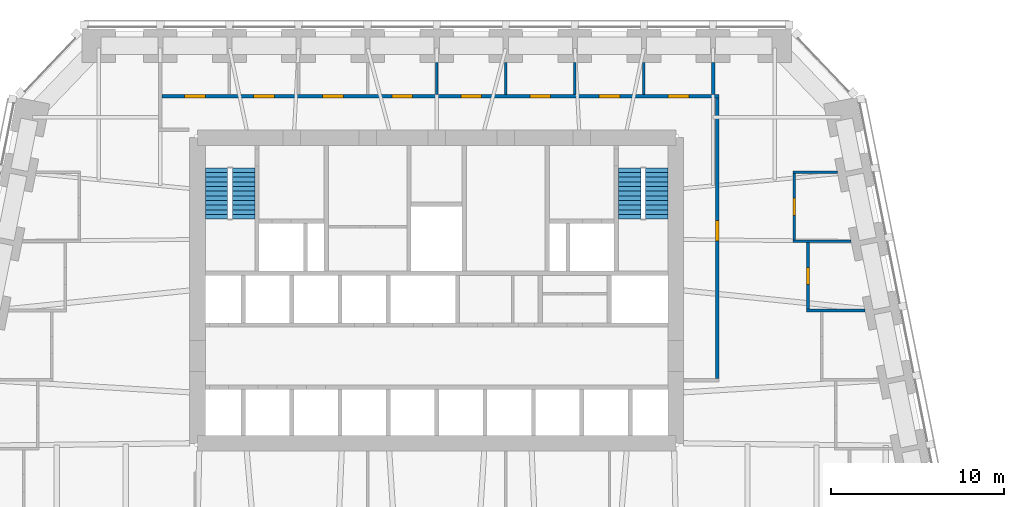
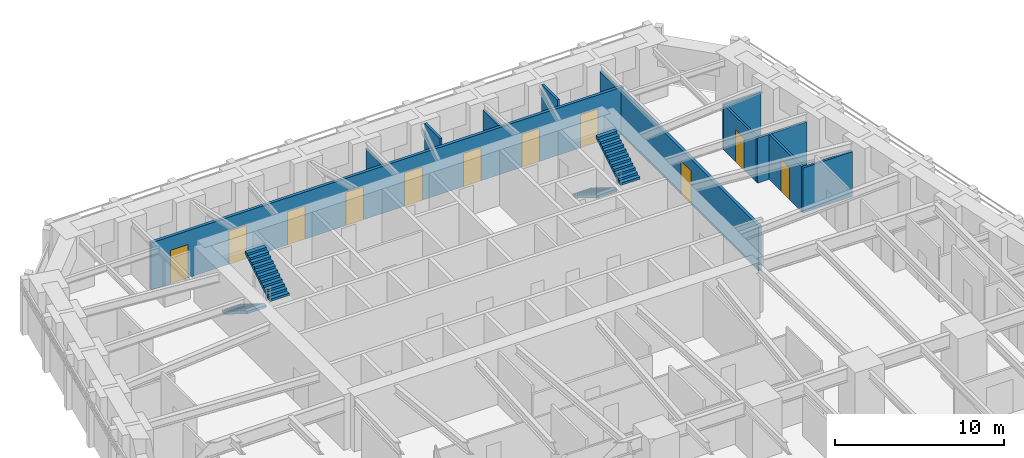
# One storey, part 8 of 10: 12 walls, 11 doors, 4 stair flights, 11 openings, 2 elements without a shape of their own.
"""IFC4 building model written with IfcOpenShell, lengths in metres."""

from ifc_helpers import new_model, si_unit, direction, frame, frame_2d, origin, place, context, subcontext, project, spatial, polyline, rectangle, outline, extrude, material, layer, layer_set, type_object, element, fill, aggregate, save


model = new_model("IFC4")

# Units and contexts
model_context = context("Model", 3, precision=1e-05, world=origin(), true_north=direction((0.0, 1.0)))
body_context = subcontext(model_context, "Body", "Model", "MODEL_VIEW")
ifc_project = project(units=[si_unit("LENGTHUNIT", "METRE"), si_unit("AREAUNIT", "SQUARE_METRE"), si_unit("VOLUMEUNIT", "CUBIC_METRE"), si_unit("PLANEANGLEUNIT", "RADIAN"), si_unit("MASSUNIT", "GRAM", prefix="KILO")], contexts=[model_context])

# Site, building, storey
site_placement = place(None, origin())
site = spatial("IfcSite", under=ifc_project, at=site_placement, CompositionType="ELEMENT")
building_placement = place(site_placement, origin())
building = spatial("IfcBuilding", under=site, at=building_placement, Name="Isbrekke Arena Tower", CompositionType="ELEMENT")
storey_placement = place(building_placement, frame((0.0, 0.0, 84.0)))
storey = spatial("IfcBuildingStorey", under=building, at=storey_placement, Name="L18", CompositionType="ELEMENT", Elevation=84.0)

# Walls
ifc_material_1 = material(Name="Gypsum board partition on steel studs", Category="steel")
ifc_layer_1 = layer(ifc_material_1, 0.14990234375)
ifc_layer_set_1 = layer_set([ifc_layer_1], Name="IW1 PARTITION 150")
wall_type_1 = type_object("IfcWallType", Name="IW1 PARTITION 150", PredefinedType="PARTITIONING", material=ifc_layer_set_1)
for number, where, z_axis, x_axis, name in (
    (1, (21.425048828125, 13.840087890625, 0.0), (0.0, 0.0, 1.0), (1.0, 0.0, 0.0), "IW1 partition 150 L18"),
    (2, (20.625, 17.840087890625, 0.0), (0.0, 0.0, 1.0), (1.0, 0.0, 0.0), "IW1 partition 150 L18"),
):
    element("IfcWall", number, at=place(storey_placement, frame(where, z_axis=z_axis, x_axis=x_axis)), inside=storey, type_object=wall_type_1, Name=name, PredefinedType="PARTITIONING", context=body_context, shape_type="SweptSolid", body=[
        extrude(rectangle(XDim=3.371337890625, YDim=0.14990234375, at=frame_2d((1.685546875, 0.0))), origin(), (0.0, 0.0, 1.0), 3.25),
    ])
wall_1_placement = place(storey_placement, frame((20.625, 21.840087890625, 0.0), z_axis=(0.0, 0.0, 1.0), x_axis=(1.0, 0.0, 0.0)))
element("IfcWall", 3, at=wall_1_placement, inside=storey, type_object=wall_type_1, Name="IW1 partition 150 L18", PredefinedType="PARTITIONING", context=body_context, shape_type="SweptSolid", body=[
    extrude(rectangle(XDim=2.5712890625, YDim=0.14990234375, at=frame_2d((1.28564453125, 0.0))), origin(), (0.0, 0.0, 1.0), 3.25),
])
wall_2_placement = place(storey_placement, frame((0.0, 26.35009765625, 0.0), z_axis=(0.0, 0.0, 1.0), x_axis=(0.0, 1.0, 0.0)))
element("IfcWall", 4, at=wall_2_placement, inside=storey, type_object=wall_type_1, Name="IW1 partition 150 L18", PredefinedType="PARTITIONING", context=body_context, shape_type="SweptSolid", body=[
    extrude(rectangle(XDim=1.849853515625, YDim=0.14990234375, at=frame_2d((0.9248046875, 0.0))), origin(), (0.0, 0.0, 1.0), 3.39990234375),
])
wall_3_placement = place(storey_placement, frame((4.0, 26.35009765625, 0.0), z_axis=(0.0, 0.0, 1.0), x_axis=(0.0, 1.0, 0.0)))
element("IfcWall", 5, at=wall_3_placement, inside=storey, type_object=wall_type_1, Name="IW1 partition 150 L18", PredefinedType="PARTITIONING", context=body_context, shape_type="SweptSolid", body=[
    extrude(rectangle(XDim=1.849853515625, YDim=0.14990234375, at=frame_2d((0.9248046875, 0.0))), origin(), (0.0, 0.0, 1.0), 3.85009765625),
])
wall_4_placement = place(storey_placement, frame((8.0, 26.35009765625, 0.0), z_axis=(0.0, 0.0, 1.0), x_axis=(0.0, 1.0, 0.0)))
element("IfcWall", 6, at=wall_4_placement, inside=storey, type_object=wall_type_1, Name="IW1 partition 150 L18", PredefinedType="PARTITIONING", context=body_context, shape_type="SweptSolid", body=[
    extrude(rectangle(XDim=1.849853515625, YDim=0.14990234375, at=frame_2d((0.9248046875, 0.0))), origin(), (0.0, 0.0, 1.0), 3.39990234375),
])
wall_5_placement = place(storey_placement, frame((12.0, 26.35009765625, 0.0), z_axis=(0.0, 0.0, 1.0), x_axis=(0.0, 1.0, 0.0)))
element("IfcWall", 7, at=wall_5_placement, inside=storey, type_object=wall_type_1, Name="IW1 partition 150 L18", PredefinedType="PARTITIONING", context=body_context, shape_type="SweptSolid", body=[
    extrude(rectangle(XDim=1.849853515625, YDim=0.14990234375, at=frame_2d((0.9248046875, 0.0))), origin(), (0.0, 0.0, 1.0), 3.85009765625),
])

# Wall, opening, door
wall_6_placement = place(storey_placement, frame((20.699951171875, 17.9150390625, 0.0), z_axis=(0.0, 0.0, 1.0), x_axis=(0.0, 1.0, 0.0)))
wall_6 = element("IfcWall", 8, at=wall_6_placement, inside=storey, type_object=wall_type_1, Name="IW1 partition 150 L18", PredefinedType="PARTITIONING", context=body_context, shape_type="SweptSolid", body=[
    extrude(rectangle(XDim=3.849853515625, YDim=0.14990234375, at=frame_2d((1.9248046875, 0.0))), origin(), (0.0, 0.0, 1.0), 3.25),
])
opening_1_placement = place(wall_6_placement, frame((1.425048828125, 0.0, 0.0)))
opening_1 = element("IfcOpeningElement", 9, at=opening_1_placement, cuts=wall_6, Name="Opening D10", PredefinedType="OPENING", context=body_context, shape_type="SweptSolid", body=[
    extrude(rectangle(XDim=1.0, YDim=2.300048828125, at=frame_2d((0.5, 1.14990234375))), frame((0.0, 0.08984375, 0.0), z_axis=(0.0, -1.0, 0.0), x_axis=(1.0, 0.0, 0.0)), (0.0, 0.0, 1.0), 0.1796875),
])
ifc_material_2 = material(Name="Timber door", Category="wood")
door_type_1 = type_object("IfcDoorType", Name="D10 OFFICE DOOR 1000 x 2300", OperationType="SINGLE_SWING_LEFT", PredefinedType="DOOR", material=ifc_material_2)
door_1_placement = place(opening_1_placement, origin())
door_1 = element("IfcDoor", 10, at=door_1_placement, inside=storey, type_object=door_type_1, Name="D10 office door L18", OperationType="SINGLE_SWING_LEFT", OverallHeight=2.300048828125, OverallWidth=1.0, PredefinedType="DOOR", context=body_context, shape_type="SweptSolid", body=[
    extrude(rectangle(XDim=1.0, YDim=2.300048828125, at=frame_2d((0.5, 1.14990234375))), frame((0.0, 0.07470703125, 0.0), z_axis=(0.0, -1.0, 0.0), x_axis=(1.0, 0.0, 0.0)), (0.0, 0.0, 1.0), 0.1494140625),
])
fill(opening_1, door_1)

wall_7_placement = place(storey_placement, frame((21.5, 13.9150390625, 0.0), z_axis=(0.0, 0.0, 1.0), x_axis=(0.0, 1.0, 0.0)))
wall_7 = element("IfcWall", 11, at=wall_7_placement, inside=storey, type_object=wall_type_1, Name="IW1 partition 150 L18", PredefinedType="PARTITIONING", context=body_context, shape_type="SweptSolid", body=[
    extrude(rectangle(XDim=3.849853515625, YDim=0.14990234375, at=frame_2d((1.9248046875, 0.0))), origin(), (0.0, 0.0, 1.0), 3.25),
])
opening_2_placement = place(wall_7_placement, frame((1.425048828125, 0.0, 0.0)))
opening_2 = element("IfcOpeningElement", 12, at=opening_2_placement, cuts=wall_7, Name="Opening D10", PredefinedType="OPENING", context=body_context, shape_type="SweptSolid", body=[
    extrude(rectangle(XDim=1.0, YDim=2.300048828125, at=frame_2d((0.5, 1.14990234375))), frame((0.0, 0.08984375, 0.0), z_axis=(0.0, -1.0, 0.0), x_axis=(1.0, 0.0, 0.0)), (0.0, 0.0, 1.0), 0.1796875),
])
door_2_placement = place(opening_2_placement, origin())
door_2 = element("IfcDoor", 13, at=door_2_placement, inside=storey, type_object=door_type_1, Name="D10 office door L18", OperationType="SINGLE_SWING_LEFT", OverallHeight=2.300048828125, OverallWidth=1.0, PredefinedType="DOOR", context=body_context, shape_type="SweptSolid", body=[
    extrude(rectangle(XDim=1.0, YDim=2.300048828125, at=frame_2d((0.5, 1.14990234375))), frame((0.0, 0.07470703125, 0.0), z_axis=(0.0, -1.0, 0.0), x_axis=(1.0, 0.0, 0.0)), (0.0, 0.0, 1.0), 0.1494140625),
])
fill(opening_2, door_2)

# Wall, openings, doors
ifc_material_3 = material(Name="Gypsum board fire-cell wall on steel studs, two layers each side", Category="steel")
ifc_layer_2 = layer(ifc_material_3, 0.199951171875)
ifc_layer_set_2 = layer_set([ifc_layer_2], Name="IW3 FIRE-CELL WALL 200")
wall_type_2 = type_object("IfcWallType", Name="IW3 FIRE-CELL WALL 200", PredefinedType="PARTITIONING", material=ifc_layer_set_2)
wall_8_placement = place(storey_placement, frame((-15.89990234375, 26.25, 0.0), z_axis=(0.0, 0.0, 1.0), x_axis=(1.0, 0.0, 0.0)))
wall_8 = element("IfcWall", 14, at=wall_8_placement, inside=storey, type_object=wall_type_2, Name="IW3 fire-cell wall 200 L18", PredefinedType="PARTITIONING", context=body_context, shape_type="SweptSolid", body=[
    extrude(rectangle(XDim=32.25, YDim=0.199951171875, at=frame_2d((16.125, 0.0))), origin(), (0.0, 0.0, 1.0), 3.39990234375),
])
opening_3_placement = place(wall_8_placement, frame((1.300048828125, 0.0, 0.0)))
opening_3 = element("IfcOpeningElement", 15, at=opening_3_placement, cuts=wall_8, Name="Opening D12", PredefinedType="OPENING", context=body_context, shape_type="SweptSolid", body=[
    extrude(rectangle(XDim=1.199951171875, YDim=2.39990234375, at=frame_2d((0.60009765625, 1.199951171875))), frame((0.0, 0.11474609375, 0.0), z_axis=(0.0, -1.0, 0.0), x_axis=(1.0, 0.0, 0.0)), (0.0, 0.0, 1.0), 0.229736328125),
])
opening_4_placement = place(wall_8_placement, frame((5.300048828125, 0.0, 0.0)))
opening_4 = element("IfcOpeningElement", 16, at=opening_4_placement, cuts=wall_8, Name="Opening D12", PredefinedType="OPENING", context=body_context, shape_type="SweptSolid", body=[
    extrude(rectangle(XDim=1.199951171875, YDim=2.39990234375, at=frame_2d((0.60009765625, 1.199951171875))), frame((0.0, 0.11474609375, 0.0), z_axis=(0.0, -1.0, 0.0), x_axis=(1.0, 0.0, 0.0)), (0.0, 0.0, 1.0), 0.229736328125),
])
opening_5_placement = place(wall_8_placement, frame((9.300048828125, 0.0, 0.0)))
opening_5 = element("IfcOpeningElement", 17, at=opening_5_placement, cuts=wall_8, Name="Opening D12", PredefinedType="OPENING", context=body_context, shape_type="SweptSolid", body=[
    extrude(rectangle(XDim=1.199951171875, YDim=2.39990234375, at=frame_2d((0.60009765625, 1.199951171875))), frame((0.0, 0.11474609375, 0.0), z_axis=(0.0, -1.0, 0.0), x_axis=(1.0, 0.0, 0.0)), (0.0, 0.0, 1.0), 0.229736328125),
])
opening_6_placement = place(wall_8_placement, frame((13.300048828125, 0.0, 0.0)))
opening_6 = element("IfcOpeningElement", 18, at=opening_6_placement, cuts=wall_8, Name="Opening D12", PredefinedType="OPENING", context=body_context, shape_type="SweptSolid", body=[
    extrude(rectangle(XDim=1.199951171875, YDim=2.39990234375, at=frame_2d((0.60009765625, 1.199951171875))), frame((0.0, 0.11474609375, 0.0), z_axis=(0.0, -1.0, 0.0), x_axis=(1.0, 0.0, 0.0)), (0.0, 0.0, 1.0), 0.229736328125),
])
opening_7_placement = place(wall_8_placement, frame((17.300048828125, 0.0, 0.0)))
opening_7 = element("IfcOpeningElement", 19, at=opening_7_placement, cuts=wall_8, Name="Opening D12", PredefinedType="OPENING", context=body_context, shape_type="SweptSolid", body=[
    extrude(rectangle(XDim=1.199951171875, YDim=2.39990234375, at=frame_2d((0.60009765625, 1.199951171875))), frame((0.0, 0.11474609375, 0.0), z_axis=(0.0, -1.0, 0.0), x_axis=(1.0, 0.0, 0.0)), (0.0, 0.0, 1.0), 0.229736328125),
])
opening_8_placement = place(wall_8_placement, frame((21.300048828125, 0.0, 0.0)))
opening_8 = element("IfcOpeningElement", 20, at=opening_8_placement, cuts=wall_8, Name="Opening D12", PredefinedType="OPENING", context=body_context, shape_type="SweptSolid", body=[
    extrude(rectangle(XDim=1.199951171875, YDim=2.39990234375, at=frame_2d((0.60009765625, 1.199951171875))), frame((0.0, 0.11474609375, 0.0), z_axis=(0.0, -1.0, 0.0), x_axis=(1.0, 0.0, 0.0)), (0.0, 0.0, 1.0), 0.229736328125),
])
opening_9_placement = place(wall_8_placement, frame((25.300048828125, 0.0, 0.0)))
opening_9 = element("IfcOpeningElement", 21, at=opening_9_placement, cuts=wall_8, Name="Opening D12", PredefinedType="OPENING", context=body_context, shape_type="SweptSolid", body=[
    extrude(rectangle(XDim=1.199951171875, YDim=2.39990234375, at=frame_2d((0.60009765625, 1.199951171875))), frame((0.0, 0.11474609375, 0.0), z_axis=(0.0, -1.0, 0.0), x_axis=(1.0, 0.0, 0.0)), (0.0, 0.0, 1.0), 0.229736328125),
])
opening_10_placement = place(wall_8_placement, frame((29.300048828125, 0.0, 0.0)))
opening_10 = element("IfcOpeningElement", 22, at=opening_10_placement, cuts=wall_8, Name="Opening D12", PredefinedType="OPENING", context=body_context, shape_type="SweptSolid", body=[
    extrude(rectangle(XDim=1.199951171875, YDim=2.39990234375, at=frame_2d((0.60009765625, 1.199951171875))), frame((0.0, 0.11474609375, 0.0), z_axis=(0.0, -1.0, 0.0), x_axis=(1.0, 0.0, 0.0)), (0.0, 0.0, 1.0), 0.229736328125),
])
ifc_material_4 = material(Name="Timber fire door with vision panel", Category="wood")
door_type_2 = type_object("IfcDoorType", Name="D12 SUITE ENTRANCE DOOR 1200 x 2400", OperationType="SINGLE_SWING_LEFT", PredefinedType="DOOR", material=ifc_material_4)
door_3_placement = place(opening_3_placement, origin())
door_3 = element("IfcDoor", 23, at=door_3_placement, inside=storey, type_object=door_type_2, Name="D12 office door L18", OperationType="SINGLE_SWING_LEFT", OverallHeight=2.39990234375, OverallWidth=1.199951171875, PredefinedType="DOOR", context=body_context, shape_type="SweptSolid", body=[
    extrude(rectangle(XDim=1.199951171875, YDim=2.39990234375, at=frame_2d((0.60009765625, 1.199951171875))), frame((0.0, 0.099609375, 0.0), z_axis=(0.0, -1.0, 0.0), x_axis=(1.0, 0.0, 0.0)), (0.0, 0.0, 1.0), 0.199462890625),
])
fill(opening_3, door_3)
door_4_placement = place(opening_4_placement, origin())
door_4 = element("IfcDoor", 24, at=door_4_placement, inside=storey, type_object=door_type_2, Name="D12 office door L18", OperationType="SINGLE_SWING_LEFT", OverallHeight=2.39990234375, OverallWidth=1.199951171875, PredefinedType="DOOR", context=body_context, shape_type="SweptSolid", body=[
    extrude(rectangle(XDim=1.199951171875, YDim=2.39990234375, at=frame_2d((0.60009765625, 1.199951171875))), frame((0.0, 0.099609375, 0.0), z_axis=(0.0, -1.0, 0.0), x_axis=(1.0, 0.0, 0.0)), (0.0, 0.0, 1.0), 0.199462890625),
])
fill(opening_4, door_4)
door_5_placement = place(opening_5_placement, origin())
door_5 = element("IfcDoor", 25, at=door_5_placement, inside=storey, type_object=door_type_2, Name="D12 office door L18", OperationType="SINGLE_SWING_LEFT", OverallHeight=2.39990234375, OverallWidth=1.199951171875, PredefinedType="DOOR", context=body_context, shape_type="SweptSolid", body=[
    extrude(rectangle(XDim=1.199951171875, YDim=2.39990234375, at=frame_2d((0.60009765625, 1.199951171875))), frame((0.0, 0.099609375, 0.0), z_axis=(0.0, -1.0, 0.0), x_axis=(1.0, 0.0, 0.0)), (0.0, 0.0, 1.0), 0.199462890625),
])
fill(opening_5, door_5)
door_6_placement = place(opening_6_placement, origin())
door_6 = element("IfcDoor", 26, at=door_6_placement, inside=storey, type_object=door_type_2, Name="D12 office door L18", OperationType="SINGLE_SWING_LEFT", OverallHeight=2.39990234375, OverallWidth=1.199951171875, PredefinedType="DOOR", context=body_context, shape_type="SweptSolid", body=[
    extrude(rectangle(XDim=1.199951171875, YDim=2.39990234375, at=frame_2d((0.60009765625, 1.199951171875))), frame((0.0, 0.099609375, 0.0), z_axis=(0.0, -1.0, 0.0), x_axis=(1.0, 0.0, 0.0)), (0.0, 0.0, 1.0), 0.199462890625),
])
fill(opening_6, door_6)
door_7_placement = place(opening_7_placement, origin())
door_7 = element("IfcDoor", 27, at=door_7_placement, inside=storey, type_object=door_type_2, Name="D12 office door L18", OperationType="SINGLE_SWING_LEFT", OverallHeight=2.39990234375, OverallWidth=1.199951171875, PredefinedType="DOOR", context=body_context, shape_type="SweptSolid", body=[
    extrude(rectangle(XDim=1.199951171875, YDim=2.39990234375, at=frame_2d((0.60009765625, 1.199951171875))), frame((0.0, 0.099609375, 0.0), z_axis=(0.0, -1.0, 0.0), x_axis=(1.0, 0.0, 0.0)), (0.0, 0.0, 1.0), 0.199462890625),
])
fill(opening_7, door_7)
door_8_placement = place(opening_8_placement, origin())
door_8 = element("IfcDoor", 28, at=door_8_placement, inside=storey, type_object=door_type_2, Name="D12 office door L18", OperationType="SINGLE_SWING_LEFT", OverallHeight=2.39990234375, OverallWidth=1.199951171875, PredefinedType="DOOR", context=body_context, shape_type="SweptSolid", body=[
    extrude(rectangle(XDim=1.199951171875, YDim=2.39990234375, at=frame_2d((0.60009765625, 1.199951171875))), frame((0.0, 0.099609375, 0.0), z_axis=(0.0, -1.0, 0.0), x_axis=(1.0, 0.0, 0.0)), (0.0, 0.0, 1.0), 0.199462890625),
])
fill(opening_8, door_8)
door_9_placement = place(opening_9_placement, origin())
door_9 = element("IfcDoor", 29, at=door_9_placement, inside=storey, type_object=door_type_2, Name="D12 office door L18", OperationType="SINGLE_SWING_LEFT", OverallHeight=2.39990234375, OverallWidth=1.199951171875, PredefinedType="DOOR", context=body_context, shape_type="SweptSolid", body=[
    extrude(rectangle(XDim=1.199951171875, YDim=2.39990234375, at=frame_2d((0.60009765625, 1.199951171875))), frame((0.0, 0.099609375, 0.0), z_axis=(0.0, -1.0, 0.0), x_axis=(1.0, 0.0, 0.0)), (0.0, 0.0, 1.0), 0.199462890625),
])
fill(opening_9, door_9)
door_10_placement = place(opening_10_placement, origin())
door_10 = element("IfcDoor", 30, at=door_10_placement, inside=storey, type_object=door_type_2, Name="D12 office door L18", OperationType="SINGLE_SWING_LEFT", OverallHeight=2.39990234375, OverallWidth=1.199951171875, PredefinedType="DOOR", context=body_context, shape_type="SweptSolid", body=[
    extrude(rectangle(XDim=1.199951171875, YDim=2.39990234375, at=frame_2d((0.60009765625, 1.199951171875))), frame((0.0, 0.099609375, 0.0), z_axis=(0.0, -1.0, 0.0), x_axis=(1.0, 0.0, 0.0)), (0.0, 0.0, 1.0), 0.199462890625),
])
fill(opening_10, door_10)

# Wall
wall_9_placement = place(storey_placement, frame((16.0, 26.35009765625, 0.0), z_axis=(0.0, 0.0, 1.0), x_axis=(0.0, 1.0, 0.0)))
element("IfcWall", 31, at=wall_9_placement, inside=storey, type_object=wall_type_2, Name="IW3 fire-cell wall 200 L18", PredefinedType="PARTITIONING", context=body_context, shape_type="SweptSolid", body=[
    extrude(rectangle(XDim=1.849853515625, YDim=0.199951171875, at=frame_2d((0.9248046875, 0.0))), origin(), (0.0, 0.0, 1.0), 3.39990234375),
])

# Wall, opening, door
wall_10_placement = place(storey_placement, frame((16.25, 9.89990234375, 0.0), z_axis=(0.0, 0.0, 1.0), x_axis=(0.0, 1.0, 0.0)))
wall_10 = element("IfcWall", 32, at=wall_10_placement, inside=storey, type_object=wall_type_2, Name="IW3 fire-cell wall 200 L18", PredefinedType="PARTITIONING", context=body_context, shape_type="SweptSolid", body=[
    extrude(rectangle(XDim=16.25, YDim=0.199951171875, at=frame_2d((8.125, 0.0))), origin(), (0.0, 0.0, 1.0), 3.25),
])
opening_11_placement = place(wall_10_placement, frame((7.949951171875, 0.0, 0.0)))
opening_11 = element("IfcOpeningElement", 33, at=opening_11_placement, cuts=wall_10, Name="Opening D12", PredefinedType="OPENING", context=body_context, shape_type="SweptSolid", body=[
    extrude(rectangle(XDim=1.199951171875, YDim=2.39990234375, at=frame_2d((0.60009765625, 1.199951171875))), frame((0.0, 0.11474609375, 0.0), z_axis=(0.0, -1.0, 0.0), x_axis=(1.0, 0.0, 0.0)), (0.0, 0.0, 1.0), 0.229736328125),
])
door_11_placement = place(opening_11_placement, origin())
door_11 = element("IfcDoor", 34, at=door_11_placement, inside=storey, type_object=door_type_2, Name="D12 suite entrance A door L18", OperationType="SINGLE_SWING_LEFT", OverallHeight=2.39990234375, OverallWidth=1.199951171875, PredefinedType="DOOR", context=body_context, shape_type="SweptSolid", body=[
    extrude(rectangle(XDim=1.199951171875, YDim=2.39990234375, at=frame_2d((0.60009765625, 1.199951171875))), frame((0.0, 0.099609375, 0.0), z_axis=(0.0, -1.0, 0.0), x_axis=(1.0, 0.0, 0.0)), (0.0, 0.0, 1.0), 0.199462890625),
])
fill(opening_11, door_11)

# Stair, stair flights
ifc_material_5 = material(Name="Concrete B45 (C45/55) precast", Category="concrete")
stair_type = type_object("IfcStairType", Name="ST40 STAIR 1300 WIDE, 24 RISERS 167", PredefinedType="HALF_TURN_STAIR", material=ifc_material_5)
stair_1_placement = place(storey_placement, origin())
stair_1 = element("IfcStair", 35, at=stair_1_placement, inside=storey, type_object=stair_type, Name="ST1 stair L18", PredefinedType="HALF_TURN_STAIR")
ifc_material_6 = material(Name="Concrete B45 (C45/55) precast", Category="concrete")
stair_flight_type = type_object("IfcStairFlightType", Name="SF 1300 FLIGHT", PredefinedType="STRAIGHT", material=ifc_material_6)
stair_flight_1_placement = place(storey_placement, frame((-12.75, 22.10009765625, 0.0), z_axis=(0.0, 0.0, 1.0), x_axis=(0.0, -1.0, 0.0)))
stair_flight_1 = element("IfcStairFlight", 36, at=stair_flight_1_placement, type_object=stair_flight_type, Name="ST1 flight 1", NumberOfRisers=12, NumberOfTreads=11, PredefinedType="STRAIGHT", RiserHeight=0.166666667, TreadLength=0.27, context=body_context, shape_type="SweptSolid", body=[
    extrude(outline(polyline([(0.0, 0.0), (0.0, 0.166748046875), (0.27001953125, 0.166748046875), (0.27001953125, 0.333251953125), (0.5400390625, 0.333251953125), (0.5400390625, 0.5), (0.81005859375, 0.5), (0.81005859375, 0.666748046875), (1.080078125, 0.666748046875), (1.080078125, 0.833251953125), (1.35009765625, 0.833251953125), (1.35009765625, 1.0), (1.6201171875, 1.0), (1.6201171875, 1.166748046875), (1.889892578125, 1.166748046875), (1.889892578125, 1.333251953125), (2.159912109375, 1.333251953125), (2.159912109375, 1.5), (2.429931640625, 1.5), (2.429931640625, 1.666748046875), (2.699951171875, 1.666748046875), (2.699951171875, 1.833251953125), (2.969970703125, 1.833251953125), (2.969970703125, 2.0), (2.969970703125, 1.6572265625), (0.285400390625, 0.0), (0.0, 0.0)])), frame((0.0, 0.64990234375, 0.0), z_axis=(0.0, -1.0, 0.0), x_axis=(1.0, 0.0, 0.0)), (0.0, 0.0, 1.0), 1.300048828125),
])
stair_flight_2_placement = place(storey_placement, frame((-11.175048828125, 19.1298828125, 2.0), z_axis=(0.0, 0.0, 1.0), x_axis=(0.0, 1.0, 0.0)))
stair_flight_2 = element("IfcStairFlight", 37, at=stair_flight_2_placement, type_object=stair_flight_type, Name="ST1 flight 2", NumberOfRisers=12, NumberOfTreads=11, PredefinedType="STRAIGHT", RiserHeight=0.166666667, TreadLength=0.27, context=body_context, shape_type="SweptSolid", body=[
    extrude(outline(polyline([(0.0, 0.0), (0.0, 0.166748046875), (0.27001953125, 0.166748046875), (0.27001953125, 0.333251953125), (0.5400390625, 0.333251953125), (0.5400390625, 0.5), (0.81005859375, 0.5), (0.81005859375, 0.666748046875), (1.080078125, 0.666748046875), (1.080078125, 0.833251953125), (1.35009765625, 0.833251953125), (1.35009765625, 1.0), (1.6201171875, 1.0), (1.6201171875, 1.166748046875), (1.889892578125, 1.166748046875), (1.889892578125, 1.333251953125), (2.159912109375, 1.333251953125), (2.159912109375, 1.5), (2.429931640625, 1.5), (2.429931640625, 1.666748046875), (2.699951171875, 1.666748046875), (2.699951171875, 1.833251953125), (2.969970703125, 1.833251953125), (2.969970703125, 2.0), (2.969970703125, 1.6572265625), (0.285400390625, 0.0), (0.0, 0.0)])), frame((0.0, 0.64990234375, 0.0), z_axis=(0.0, -1.0, 0.0), x_axis=(1.0, 0.0, 0.0)), (0.0, 0.0, 1.0), 1.300048828125),
])
aggregate(stair_1, [stair_flight_1, stair_flight_2])

stair_2_placement = place(storey_placement, origin())
stair_2 = element("IfcStair", 38, at=stair_2_placement, inside=storey, type_object=stair_type, Name="ST2 stair L18", PredefinedType="HALF_TURN_STAIR")
stair_flight_3_placement = place(storey_placement, frame((11.175048828125, 22.10009765625, 0.0), z_axis=(0.0, 0.0, 1.0), x_axis=(0.0, -1.0, 0.0)))
stair_flight_3 = element("IfcStairFlight", 39, at=stair_flight_3_placement, type_object=stair_flight_type, Name="ST2 flight 1", NumberOfRisers=12, NumberOfTreads=11, PredefinedType="STRAIGHT", RiserHeight=0.166666667, TreadLength=0.27, context=body_context, shape_type="SweptSolid", body=[
    extrude(outline(polyline([(0.0, 0.0), (0.0, 0.166748046875), (0.27001953125, 0.166748046875), (0.27001953125, 0.333251953125), (0.5400390625, 0.333251953125), (0.5400390625, 0.5), (0.81005859375, 0.5), (0.81005859375, 0.666748046875), (1.080078125, 0.666748046875), (1.080078125, 0.833251953125), (1.35009765625, 0.833251953125), (1.35009765625, 1.0), (1.6201171875, 1.0), (1.6201171875, 1.166748046875), (1.889892578125, 1.166748046875), (1.889892578125, 1.333251953125), (2.159912109375, 1.333251953125), (2.159912109375, 1.5), (2.429931640625, 1.5), (2.429931640625, 1.666748046875), (2.699951171875, 1.666748046875), (2.699951171875, 1.833251953125), (2.969970703125, 1.833251953125), (2.969970703125, 2.0), (2.969970703125, 1.6572265625), (0.285400390625, 0.0), (0.0, 0.0)])), frame((0.0, 0.64990234375, 0.0), z_axis=(0.0, -1.0, 0.0), x_axis=(1.0, 0.0, 0.0)), (0.0, 0.0, 1.0), 1.300048828125),
])
stair_flight_4_placement = place(storey_placement, frame((12.75, 19.1298828125, 2.0), z_axis=(0.0, 0.0, 1.0), x_axis=(0.0, 1.0, 0.0)))
stair_flight_4 = element("IfcStairFlight", 40, at=stair_flight_4_placement, type_object=stair_flight_type, Name="ST2 flight 2", NumberOfRisers=12, NumberOfTreads=11, PredefinedType="STRAIGHT", RiserHeight=0.166666667, TreadLength=0.27, context=body_context, shape_type="SweptSolid", body=[
    extrude(outline(polyline([(0.0, 0.0), (0.0, 0.166748046875), (0.27001953125, 0.166748046875), (0.27001953125, 0.333251953125), (0.5400390625, 0.333251953125), (0.5400390625, 0.5), (0.81005859375, 0.5), (0.81005859375, 0.666748046875), (1.080078125, 0.666748046875), (1.080078125, 0.833251953125), (1.35009765625, 0.833251953125), (1.35009765625, 1.0), (1.6201171875, 1.0), (1.6201171875, 1.166748046875), (1.889892578125, 1.166748046875), (1.889892578125, 1.333251953125), (2.159912109375, 1.333251953125), (2.159912109375, 1.5), (2.429931640625, 1.5), (2.429931640625, 1.666748046875), (2.699951171875, 1.666748046875), (2.699951171875, 1.833251953125), (2.969970703125, 1.833251953125), (2.969970703125, 2.0), (2.969970703125, 1.6572265625), (0.285400390625, 0.0), (0.0, 0.0)])), frame((0.0, 0.64990234375, 0.0), z_axis=(0.0, -1.0, 0.0), x_axis=(1.0, 0.0, 0.0)), (0.0, 0.0, 1.0), 1.300048828125),
])
aggregate(stair_2, [stair_flight_3, stair_flight_4])

save(model, "model.ifc")
